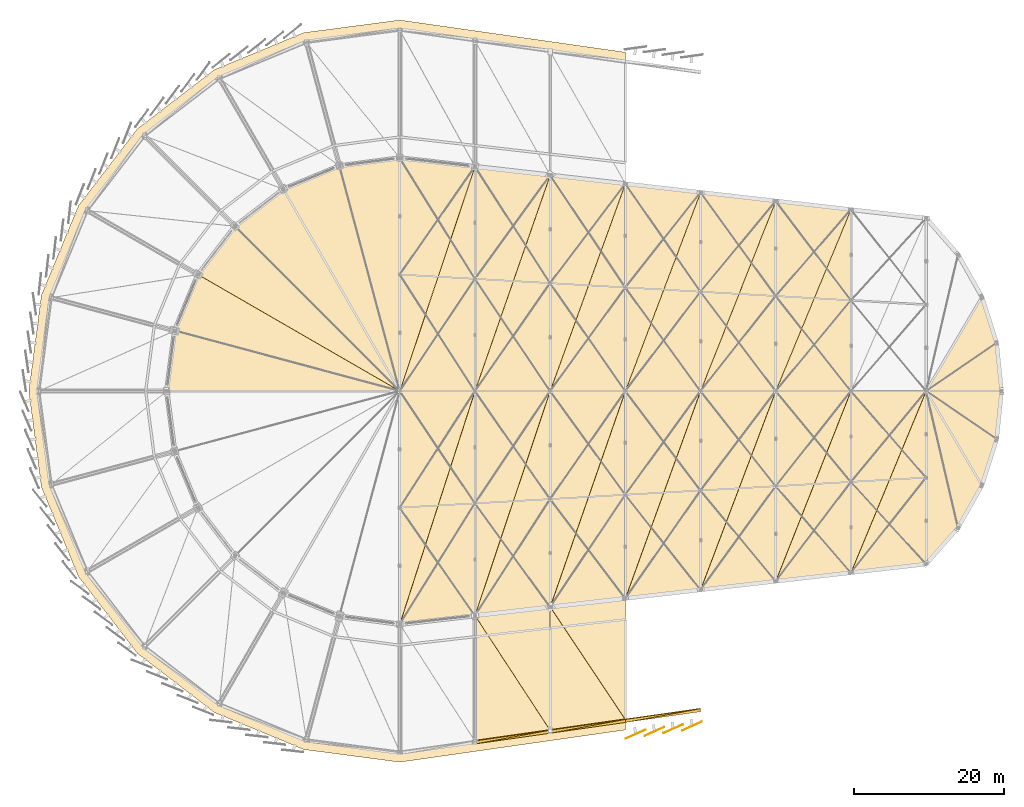
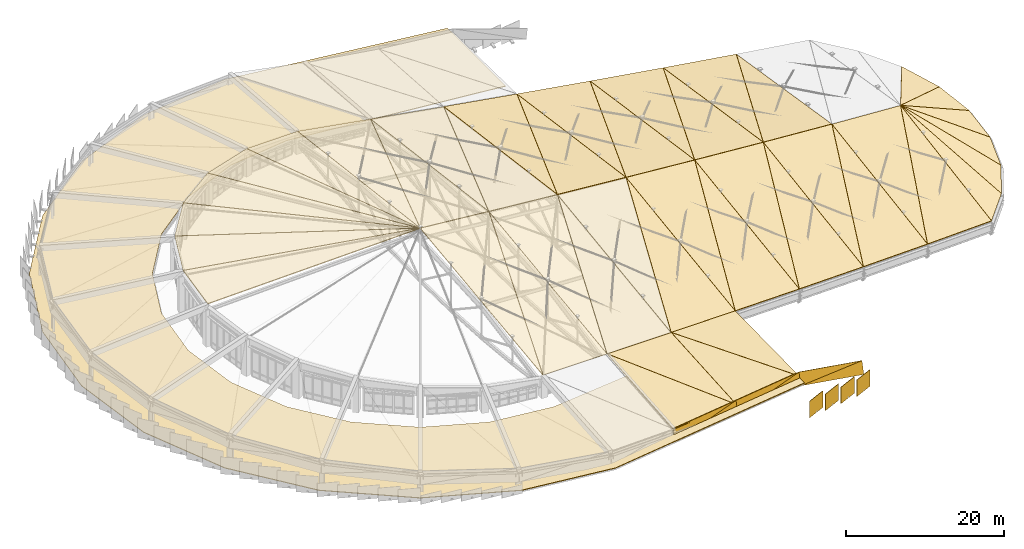
# One storey, part 67 of 68: 53 coverings.
"""IFC4 building model written with IfcOpenShell, lengths in metres."""

import ifcopenshell
import ifcopenshell.guid

model = None  # the IFC model being written
_history = None  # IfcOwnerHistory: only IFC2X3 demands one
_inside = {}  # id of a spatial element -> (the spatial element, [elements in it])
_under = {}  # id of a project, library or spatial element -> (it, [spatial elements below it])
_declared = {}  # id of a project -> (the project, [libraries it declares])
_typed = {}  # id of a type object -> (the type object, [elements of that type])
_made_of = {}  # id of a material, layer set ... -> (it, [elements and type objects made of it])


def new_model(schema):
    """Start an empty IFC model of exactly this schema.

    Asked for "IFC4X3", IfcOpenShell would pick the latest addendum, in which some entities
    have other attributes; the version numbers below select the first issue.
    IFC2X3 requires an IfcOwnerHistory on every rooted entity: one is made here for all.
    """
    global model, _history
    if schema == "IFC4X3":
        model = ifcopenshell.file(schema_version=(4, 3, 0, 0))
    else:
        model = ifcopenshell.file(schema=schema)
    _inside.clear()
    _under.clear()
    _declared.clear()
    _typed.clear()
    _made_of.clear()
    _history = None
    if model.schema == "IFC2X3":
        org = make("IfcOrganization", Name="unknown")
        user = make(
            "IfcPersonAndOrganization",
            ThePerson=make("IfcPerson", FamilyName="unknown"),
            TheOrganization=org,
        )
        app = make(
            "IfcApplication",
            ApplicationDeveloper=org,
            Version="unknown",
            ApplicationFullName="unknown",
            ApplicationIdentifier="unknown",
        )
        _history = make(
            "IfcOwnerHistory",
            OwningUser=user,
            OwningApplication=app,
            ChangeAction="ADDED",
            CreationDate=0,
        )
    return model


def make(cls, **values):
    """One entity of the class cls with the attributes given. An attribute that is None is left unset."""
    return model.create_entity(
        cls, **{name: value for name, value in values.items() if value is not None}
    )


def rooted(cls, **values):
    """An entity with a GlobalId (a new one), such as an element, a storey or a relation."""
    return make(cls, GlobalId=ifcopenshell.guid.new(), OwnerHistory=_history, **values)


def si_unit(unit_type, name, prefix=None):
    """IfcSIUnit, for example si_unit("LENGTHUNIT", "METRE", prefix="MILLI")."""
    return make("IfcSIUnit", UnitType=unit_type, Prefix=prefix, Name=name)


def assignment(units):
    """IfcUnitAssignment: the units of a project."""
    return None if units is None else make("IfcUnitAssignment", Units=units)


def point(xyz):
    """IfcCartesianPoint."""
    return None if xyz is None else make("IfcCartesianPoint", Coordinates=xyz)


def direction(xyz):
    """IfcDirection."""
    return None if xyz is None else make("IfcDirection", DirectionRatios=xyz)


def frame(location, z_axis=None, x_axis=None):
    """IfcAxis2Placement3D, a coordinate frame: its origin and axes. An axis left out is left unset."""
    return make(
        "IfcAxis2Placement3D",
        Location=point(location),
        Axis=direction(z_axis),
        RefDirection=direction(x_axis),
    )


def frame_2d(location, x_axis=None):
    """IfcAxis2Placement2D, a coordinate frame in the plane: its origin and x axis."""
    return make(
        "IfcAxis2Placement2D", Location=point(location), RefDirection=direction(x_axis)
    )


def origin():
    """The frame at (0, 0, 0) with its axes left unset."""
    return frame((0.0, 0.0, 0.0))


def origin_2d():
    """The frame at (0, 0) in the plane with its x axis left unset."""
    return frame_2d((0.0, 0.0))


def place(relative_to, where):
    """IfcLocalPlacement: puts the frame where relative to a parent placement (None: the world)."""
    return make(
        "IfcLocalPlacement", PlacementRelTo=relative_to, RelativePlacement=where
    )


def context(
    kind, dimensions, precision=None, world=None, true_north=None, identifier=None
):
    """IfcGeometricRepresentationContext, for example the 3D "Model" context."""
    return make(
        "IfcGeometricRepresentationContext",
        ContextIdentifier=identifier,
        ContextType=kind,
        CoordinateSpaceDimension=dimensions,
        Precision=precision,
        WorldCoordinateSystem=world,
        TrueNorth=true_north,
    )


def subcontext(parent, identifier, kind, view, scale=None):
    """IfcGeometricRepresentationSubContext, for example "Body" below "Model"."""
    return make(
        "IfcGeometricRepresentationSubContext",
        ContextIdentifier=identifier,
        ContextType=kind,
        ParentContext=parent,
        TargetScale=scale,
        TargetView=view,
    )


def project(units=None, contexts=None):
    """IfcProject with its units and contexts."""
    return rooted(
        "IfcProject",
        Name="project",
        RepresentationContexts=contexts,
        UnitsInContext=assignment(units),
    )


def spatial(cls, under=None, at=None, **own):
    """A site, building, storey or space (cls), placed at a placement, below another one or the project."""
    s = rooted(cls, ObjectPlacement=at, **own)
    if under is not None:
        _under.setdefault(under.id(), (under, []))[1].append(s)
    return s


def polyline(points):
    """IfcPolyline through the points."""
    return make("IfcPolyline", Points=[point(p) for p in points])


def profile(cls, at=None, kind="AREA", **sizes):
    """A parametric profile (cls). Its sizes go by their IFC names, for example OverallWidth=200.0."""
    return make(cls, ProfileType=kind, Position=at, **sizes)


def rectangle(**sizes):
    """IfcRectangleProfileDef."""
    return profile("IfcRectangleProfileDef", **sizes)


def outline(outer, holes=None, kind="AREA"):
    """IfcArbitraryClosedProfileDef: a profile drawn as a closed curve; with holes, ...WithVoids."""
    if holes is None:
        return make("IfcArbitraryClosedProfileDef", ProfileType=kind, OuterCurve=outer)
    return make(
        "IfcArbitraryProfileDefWithVoids",
        ProfileType=kind,
        OuterCurve=outer,
        InnerCurves=holes,
    )


def extrude(swept, where, along, depth):
    """IfcExtrudedAreaSolid: the profile swept, set in the frame where, extruded along a direction by depth."""
    return make(
        "IfcExtrudedAreaSolid",
        SweptArea=swept,
        Position=where,
        ExtrudedDirection=direction(along),
        Depth=depth,
    )


def shape(context_of_items, identifier, shape_type, items):
    """IfcShapeRepresentation: the items that make up one representation, for example the "Body"."""
    return make(
        "IfcShapeRepresentation",
        ContextOfItems=context_of_items,
        RepresentationIdentifier=identifier,
        RepresentationType=shape_type,
        Items=items,
    )


def material(Name=None, Category=None):
    """IfcMaterial."""
    return make("IfcMaterial", Name=Name, Category=Category)


def layer(
    of_material, thickness, ventilated=None, Name=None, Category=None, Priority=None
):
    """IfcMaterialLayer: one layer of a wall or slab, of a material (None: an air gap)."""
    return make(
        "IfcMaterialLayer",
        Material=of_material,
        LayerThickness=thickness,
        IsVentilated=ventilated,
        Name=Name,
        Category=Category,
        Priority=Priority,
    )


def layer_set(layers, Name=None):
    """IfcMaterialLayerSet."""
    return make("IfcMaterialLayerSet", MaterialLayers=layers, LayerSetName=Name)


def made_of(thing, what):
    """Note that an element or type object is made of a material, layer set ...; save() writes the relation."""
    if what is not None:
        _made_of.setdefault(what.id(), (what, []))[1].append(thing)
    return thing


def type_object(cls, material=None, **own):
    """A type object (cls), such as IfcWallType, which elements share."""
    return made_of(rooted(cls, **own), material)


def element(
    cls,
    number,
    at=None,
    inside=None,
    cuts=None,
    type_object=None,
    material=None,
    context=None,
    identifier="Body",
    shape_type=None,
    held_by="IfcProductDefinitionShape",
    body=None,
    shapes=None,
    **own,
):
    """One element of the class cls, such as IfcWall. Its Tag is "e" and its number.

    at: its placement. inside: the storey or other place that contains it. cuts: it is an
    opening in that element (IfcRelVoidsElement). A single representation is given by context,
    identifier, shape_type and body (its items); several are given by shapes. held_by: the class
    of the entity that holds the representations. save() writes the other relations.
    """
    e = rooted(cls, Tag="e%d" % number, ObjectPlacement=at, **own)
    if body is not None:
        shapes = [shape(context, identifier, shape_type, body)]
    if shapes is not None:
        e.Representation = make(held_by, Representations=shapes)
    if inside is not None:
        _inside.setdefault(inside.id(), (inside, []))[1].append(e)
    if cuts is not None:
        rooted(
            "IfcRelVoidsElement", RelatingBuildingElement=cuts, RelatedOpeningElement=e
        )
    if type_object is not None:
        _typed.setdefault(type_object.id(), (type_object, []))[1].append(e)
    return made_of(e, material)


def aggregate(whole, parts):
    """IfcRelAggregates: a whole, such as a stair, and the parts it consists of."""
    return rooted("IfcRelAggregates", RelatingObject=whole, RelatedObjects=parts)


def save(model, path):
    """Write the relations noted so far, then the file.

    IfcRelAggregates (storeys below a building ...), IfcRelContainedInSpatialStructure (elements
    in a storey), IfcRelDefinesByType, IfcRelAssociatesMaterial and IfcRelDeclares: one each for
    every whole, place, type object, material and project.
    """
    for whole, parts in _under.values():
        aggregate(whole, parts)
    for where, things in _inside.values():
        rooted(
            "IfcRelContainedInSpatialStructure",
            RelatedElements=things,
            RelatingStructure=where,
        )
    for kind, things in _typed.values():
        rooted("IfcRelDefinesByType", RelatedObjects=things, RelatingType=kind)
    for what, things in _made_of.values():
        rooted("IfcRelAssociatesMaterial", RelatedObjects=things, RelatingMaterial=what)
    for by, libraries in _declared.values():
        rooted("IfcRelDeclares", RelatingContext=by, RelatedDefinitions=libraries)
    model.write(path)


model = new_model("IFC4")

# Units and contexts
model_context = context("Model", 3, precision=1e-05, world=origin(), true_north=direction((0.0, 1.0)))
body_context = subcontext(model_context, "Body", "Model", "MODEL_VIEW")
ifc_project = project(units=[si_unit("LENGTHUNIT", "METRE"), si_unit("AREAUNIT", "SQUARE_METRE"), si_unit("VOLUMEUNIT", "CUBIC_METRE"), si_unit("PLANEANGLEUNIT", "RADIAN"), si_unit("MASSUNIT", "GRAM", prefix="KILO")], contexts=[model_context])

# Site, building, storey
site_placement = place(None, origin())
site = spatial("IfcSite", under=ifc_project, at=site_placement, CompositionType="ELEMENT")
building_placement = place(site_placement, origin())
building = spatial("IfcBuilding", under=site, at=building_placement, Name="Sohan Crest Arena", CompositionType="ELEMENT")
storey_placement = place(building_placement, frame((0.0, 0.0, 27.0)))
storey = spatial("IfcBuildingStorey", under=building, at=storey_placement, Name="RF", CompositionType="ELEMENT", Elevation=27.0)

# Coverings
ifc_material_1 = material(Name="Elastomeric EPDM waterproofing membrane")
ifc_layer_1 = layer(ifc_material_1, 0.094970703125, Name="Elastomeric EPDM waterproofing membrane")
ifc_layer_set_1 = layer_set([ifc_layer_1], Name="Elastomeric EPDM waterproofing membrane")
covering_type_1 = type_object("IfcCoveringType", Name="COV-RF1", PredefinedType="ROOFING", material=ifc_layer_set_1)
covering_1_placement = place(storey_placement, origin())
element("IfcCovering", 1, at=covering_1_placement, inside=storey, type_object=covering_type_1, Name="West crescent EPDM roof membrane", PredefinedType="ROOFING", context=body_context, shape_type="SweptSolid", body=[
    extrude(outline(polyline([(118.0, 31.507080078125), (108.0, 30.0791015625), (98.0, 28.64990234375), (85.22705078125, 30.33203125), (73.324951171875, 35.261962890625), (63.10400390625, 43.10400390625), (55.261962890625, 53.324951171875), (50.33203125, 65.22705078125), (48.64990234375, 78.0), (50.33203125, 90.77294921875), (55.261962890625, 102.675048828125), (63.10400390625, 112.89599609375), (73.324951171875, 120.738037109375), (85.22705078125, 125.66796875), (98.0, 127.35009765625), (108.0, 125.9208984375), (118.0, 124.492919921875), (128.0, 123.06396484375), (128.0, 108.37109375), (118.0, 109.513916015625), (108.0, 110.656982421875), (98.0, 111.800048828125), (89.251953125, 110.64794921875), (81.10009765625, 107.27197265625), (74.10009765625, 101.89990234375), (68.72802734375, 94.89990234375), (65.35205078125, 86.748046875), (64.199951171875, 78.0), (65.35205078125, 69.251953125), (68.72802734375, 61.10009765625), (74.10009765625, 54.10009765625), (81.10009765625, 48.72802734375), (89.251953125, 45.35205078125), (98.0, 44.199951171875), (108.0, 45.343017578125), (118.0, 46.486083984375), (128.0, 47.62890625), (128.0, 32.93603515625), (118.0, 31.507080078125)])), origin(), (0.0, 0.0, 1.0), 0.094970703125),
])
ifc_material_2 = material(Name="Standing-seam insulated acoustic roof liner", Category="aluminium")
ifc_layer_2 = layer(ifc_material_2, 0.114990234375, Name="Standing-seam insulated acoustic roof liner")
ifc_layer_set_2 = layer_set([ifc_layer_2], Name="Standing-seam insulated acoustic roof liner")
covering_type_2 = type_object("IfcCoveringType", Name="COV-RF2", PredefinedType="ROOFING", material=ifc_layer_set_2)
covering_2_placement = place(storey_placement, frame((97.9951171875, 108.97900390625, 3.251953125), z_axis=(0.078569357148, 0.123111299512, 0.989277748688), x_axis=(-0.987005823883, -0.129917496774, 0.094556584402)))
element("IfcCovering", 2, at=covering_2_placement, inside=storey, type_object=covering_type_2, Name="Standing-seam acoustic roof covering RF-CV-001", PredefinedType="ROOFING", context=body_context, shape_type="SweptSolid", body=[
    extrude(outline(polyline([(0.0, 0.0), (8.112495270420572, 1.942890293094024e-16), (4.383438076717263, 30.866937675788467), (0.0, 0.0)])), origin(), (0.0, 0.0, -1.0), 0.114990234375),
])
covering_3_placement = place(storey_placement, frame((89.97705078125, 107.922119140625, 4.01904296875), z_axis=(0.049193937432, 0.115529716806, 0.992085097688), x_axis=(-0.920123355045, -0.381144505095, 0.090010431264)))
element("IfcCovering", 3, at=covering_3_placement, inside=storey, type_object=covering_type_2, Name="Standing-seam acoustic roof covering RF-CV-002", PredefinedType="ROOFING", context=body_context, shape_type="SweptSolid", body=[
    extrude(outline(polyline([(0.0, 0.0), (8.109954129746676, -3.3306690738754696e-16), (4.30036116213068, 30.79247786818549), (0.0, 0.0)])), origin(), (0.0, 0.0, -1.0), 0.114990234375),
])
covering_4_placement = place(storey_placement, frame((82.506103515625, 104.825927734375, 4.7490234375), z_axis=(0.02228020214, 0.100222015913, 0.994715607658), x_axis=(-0.790838144781, -0.606922997976, 0.078863827493)))
element("IfcCovering", 4, at=covering_4_placement, inside=storey, type_object=covering_type_2, Name="Standing-seam acoustic roof covering RF-CV-003", PredefinedType="ROOFING", context=body_context, shape_type="SweptSolid", body=[
    extrude(outline(polyline([(0.0, 0.0), (8.101509094062253, -1.734723475976807e-16), (4.213367033155987, 30.73983132818911), (0.0, 0.0)])), origin(), (0.0, 0.0, -1.0), 0.114990234375),
])
covering_5_placement = place(storey_placement, frame((76.091064453125, 99.90087890625, 5.387939453125), z_axis=(-0.000436193293, 0.077682893995, 0.996978022685), x_axis=(-0.607669380732, -0.791810703006, 0.061430727863)))
element("IfcCovering", 5, at=covering_5_placement, inside=storey, type_object=covering_type_2, Name="Standing-seam acoustic roof covering RF-CV-004", PredefinedType="ROOFING", context=body_context, shape_type="SweptSolid", body=[
    extrude(outline(polyline([(0.0, 0.0), (8.091558244350722, -6.661338147750939e-16), (4.13357035678807, 30.70779176164884), (0.0, 0.0)])), origin(), (0.0, 0.0, -1.0), 0.114990234375),
])
covering_6_placement = place(storey_placement, frame((71.1689453125, 93.485107421875, 5.885009765625), z_axis=(-0.016969693646, 0.049177375769, 0.998645890799), x_axis=(-0.38240734973, -0.923171996249, 0.038962600202)))
element("IfcCovering", 6, at=covering_6_placement, inside=storey, type_object=covering_type_2, Name="Standing-seam acoustic roof covering RF-CV-005", PredefinedType="ROOFING", context=body_context, shape_type="SweptSolid", body=[
    extrude(outline(polyline([(0.0, 0.0), (8.083172186166111, 3.937822290467352e-16), (4.082133112188317, 30.69153518886366), (0.0, 0.0)])), origin(), (0.0, 0.0, -1.0), 0.114990234375),
])
covering_7_placement = place(storey_placement, frame((68.074951171875, 86.011962890625, 6.199951171875), z_axis=(-0.025650373826, 0.016877268894, 0.999528496901), x_axis=(-0.130490512806, -0.991359126362, 0.01339061783)))
element("IfcCovering", 7, at=covering_7_placement, inside=storey, type_object=covering_type_2, Name="Standing-seam acoustic roof covering RF-CV-006", PredefinedType="ROOFING", context=body_context, shape_type="SweptSolid", body=[
    extrude(outline(polyline([(0.0, 0.0), (8.07687130243786, -9.194034422677078e-17), (4.0503887646823635, 30.68512516551225), (0.0, 0.0)])), origin(), (0.0, 0.0, -1.0), 0.114990234375),
])
covering_8_placement = place(storey_placement, frame((98.012939453125, 47.02099609375, 3.251953125), z_axis=(0.106264528646, -0.12742057051, 0.986139872514), x_axis=(0.989313905925, 0.113118381435, -0.09199036539)))
element("IfcCovering", 8, at=covering_8_placement, inside=storey, type_object=covering_type_2, Name="Standing-seam acoustic roof covering RF-CV-013", PredefinedType="ROOFING", context=body_context, shape_type="SweptSolid", body=[
    extrude(outline(polyline([(0.0, 0.0), (10.087779428731487, -2.7755575615628914e-17), (13.104181810361899, 29.892780539795584), (0.0, 0.0)])), origin(), (0.0, 0.0, -1.0), 0.114990234375),
])
covering_9_placement = place(storey_placement, frame((98.007080078125, 47.041015625, 3.251953125), z_axis=(0.091881929141, -0.122970672887, 0.988147724132), x_axis=(0.305769493607, 0.947886926191, 0.089528721292)))
element("IfcCovering", 9, at=covering_9_placement, inside=storey, type_object=covering_type_2, Name="Standing-seam acoustic roof covering RF-CV-014", PredefinedType="ROOFING", context=body_context, shape_type="SweptSolid", body=[
    extrude(outline(polyline([(0.0, 0.0), (32.63890177869655, 5.551115123125783e-17), (29.670408934452812, 9.573359103040415), (0.0, 0.0)])), origin(), (0.0, 0.0, -1.0), 0.114990234375),
])
covering_10_placement = place(storey_placement, frame((108.012939453125, 48.1640625, 2.323974609375), z_axis=(0.103627606749, -0.132437873979, 0.985759366507), x_axis=(0.989611133323, 0.113031322019, -0.088846637783)))
element("IfcCovering", 10, at=covering_10_placement, inside=storey, type_object=covering_type_2, Name="Standing-seam acoustic roof covering RF-CV-015", PredefinedType="ROOFING", context=body_context, shape_type="SweptSolid", body=[
    extrude(outline(polyline([(0.0, 0.0), (10.084749587684922, -5.551115123125783e-17), (12.981817964005886, 28.768957025120592), (0.0, 0.0)])), origin(), (0.0, 0.0, -1.0), 0.114990234375),
])
covering_11_placement = place(storey_placement, frame((108.007080078125, 48.18310546875, 2.323974609375), z_axis=(0.088688274323, -0.127641178677, 0.987847214656), x_axis=(0.316199134088, 0.94406458039, 0.093595810031)))
element("IfcCovering", 11, at=covering_11_placement, inside=storey, type_object=covering_type_2, Name="Standing-seam acoustic roof covering RF-CV-016", PredefinedType="ROOFING", context=body_context, shape_type="SweptSolid", body=[
    extrude(outline(polyline([(0.0, 0.0), (31.562327004893373, -2.7755575615628914e-16), (28.49052730263887, 9.537655149242703), (0.0, 0.0)])), origin(), (0.0, 0.0, -1.0), 0.114990234375),
])
covering_12_placement = place(storey_placement, frame((118.012939453125, 49.305908203125, 1.427978515625), z_axis=(0.100657799964, -0.137865293277, 0.985322875111), x_axis=(0.989906389487, 0.113186126143, -0.085289160521)))
element("IfcCovering", 12, at=covering_12_placement, inside=storey, type_object=covering_type_2, Name="Standing-seam acoustic roof covering RF-CV-017", PredefinedType="ROOFING", context=body_context, shape_type="SweptSolid", body=[
    extrude(outline(polyline([(0.0, 0.0), (10.081741642182598, 0.0), (12.867694969856617, 27.642886060133996), (0.0, 0.0)])), origin(), (0.0, 0.0, -1.0), 0.114990234375),
])
covering_13_placement = place(storey_placement, frame((118.007080078125, 49.323974609375, 1.427978515625), z_axis=(0.085105940709, -0.132671659268, 0.987499473257), x_axis=(0.327298212364, 0.9398193862, 0.098058153697)))
element("IfcCovering", 13, at=covering_13_placement, inside=storey, type_object=covering_type_2, Name="Standing-seam acoustic roof covering RF-CV-018", PredefinedType="ROOFING", context=body_context, shape_type="SweptSolid", body=[
    extrude(outline(polyline([(0.0, 0.0), (30.49201031886783, -2.1094237467877974e-15), (27.309921097788408, 9.498110502772963), (0.0, 0.0)])), origin(), (0.0, 0.0, -1.0), 0.114990234375),
])
covering_14_placement = place(storey_placement, frame((128.012939453125, 50.447998046875, 0.568115234375), z_axis=(0.097056208526, -0.143755960943, 0.984842279799), x_axis=(0.990269050717, 0.113106467973, -0.08108103412)))
element("IfcCovering", 14, at=covering_14_placement, inside=storey, type_object=covering_type_2, Name="Standing-seam acoustic roof covering RF-CV-019", PredefinedType="ROOFING", context=body_context, shape_type="SweptSolid", body=[
    extrude(outline(polyline([(0.0, 0.0), (10.078049456882495, -1.1102230246251565e-16), (12.749200719657635, 26.52156144486965), (0.0, 0.0)])), origin(), (0.0, 0.0, -1.0), 0.114990234375),
])
covering_15_placement = place(storey_placement, frame((128.007080078125, 50.466064453125, 0.568115234375), z_axis=(0.080798674703, -0.138111203545, 0.987115428722), x_axis=(0.339148834059, 0.935069458942, 0.103068789215)))
element("IfcCovering", 15, at=covering_15_placement, inside=storey, type_object=covering_type_2, Name="Standing-seam acoustic roof covering RF-CV-020", PredefinedType="ROOFING", context=body_context, shape_type="SweptSolid", body=[
    extrude(outline(polyline([(0.0, 0.0), (29.426551019810862, -1.1102230246251565e-16), (26.126048610153536, 9.453782876481975), (0.0, 0.0)])), origin(), (0.0, 0.0, -1.0), 0.114990234375),
])
covering_16_placement = place(storey_placement, frame((138.012939453125, 51.589111328125, -0.2490234375), z_axis=(0.092822077321, -0.150166982302, 0.98429362458), x_axis=(0.990644935524, 0.113246337485, -0.076143803205)))
element("IfcCovering", 16, at=covering_16_placement, inside=storey, type_object=covering_type_2, Name="Standing-seam acoustic roof covering RF-CV-021", PredefinedType="ROOFING", context=body_context, shape_type="SweptSolid", body=[
    extrude(outline(polyline([(0.0, 0.0), (10.074225497825939, -1.5265566588595902e-16), (12.638958503257976, 25.398923824444562), (0.0, 0.0)])), origin(), (0.0, 0.0, -1.0), 0.114990234375),
])
covering_17_placement = place(storey_placement, frame((138.007080078125, 51.60595703125, -0.2490234375), z_axis=(0.075837820611, -0.14402321446, 0.986664045489), x_axis=(0.351792432894, 0.929748208819, 0.108675445046)))
element("IfcCovering", 17, at=covering_17_placement, inside=storey, type_object=covering_type_2, Name="Standing-seam acoustic roof covering RF-CV-022", PredefinedType="ROOFING", context=body_context, shape_type="SweptSolid", body=[
    extrude(outline(polyline([(0.0, 0.0), (28.368945820282377, 3.3306690738754696e-16), (24.941428041107706, 9.40428406942588), (0.0, 0.0)])), origin(), (0.0, 0.0, -1.0), 0.114990234375),
])
covering_18_placement = place(storey_placement, frame((148.012939453125, 52.73193359375, -1.01611328125), z_axis=(0.087428944863, -0.157172874691, 0.98369348227), x_axis=(0.991100632732, 0.113225694869, -0.06999627004)))
element("IfcCovering", 18, at=covering_18_placement, inside=storey, type_object=covering_type_2, Name="Standing-seam acoustic roof covering RF-CV-023", PredefinedType="ROOFING", context=body_context, shape_type="SweptSolid", body=[
    extrude(outline(polyline([(0.0, 0.0), (10.06959347936169, 2.7755575615628914e-16), (12.528287893779067, 24.276404327097843), (0.0, 0.0)])), origin(), (0.0, 0.0, -1.0), 0.114990234375),
])
covering_19_placement = place(storey_placement, frame((148.007080078125, 52.748046875, -1.01611328125), z_axis=(0.069671339043, -0.150458731897, 0.986158240097), x_axis=(0.365322171698, 0.92373477937, 0.115125011395)))
element("IfcCovering", 19, at=covering_19_placement, inside=storey, type_object=covering_type_2, Name="Standing-seam acoustic roof covering RF-CV-024", PredefinedType="ROOFING", context=body_context, shape_type="SweptSolid", body=[
    extrude(outline(polyline([(0.0, 0.0), (27.318299413249633, -4.996003610813204e-16), (23.753563402075454, 9.348251306507704), (0.0, 0.0)])), origin(), (0.0, 0.0, -1.0), 0.114990234375),
])
covering_20_placement = place(storey_placement, frame((158.012939453125, 53.8740234375, -1.720947265625), z_axis=(0.079837964227, -0.164891456773, 0.983075127827), x_axis=(0.991647406109, 0.113360935681, -0.061520079796)))
element("IfcCovering", 20, at=covering_20_placement, inside=storey, type_object=covering_type_2, Name="Standing-seam acoustic roof covering RF-CV-025", PredefinedType="ROOFING", context=body_context, shape_type="SweptSolid", body=[
    extrude(outline(polyline([(0.0, 0.0), (10.064041318783786, -1.3877787807814457e-16), (12.429281434580858, 23.154258133199846), (0.0, 0.0)])), origin(), (0.0, 0.0, -1.0), 0.114990234375),
])
covering_21_placement = place(storey_placement, frame((158.007080078125, 53.888916015625, -1.720947265625), z_axis=(0.061122562698, -0.157482040375, 0.985628448904), x_axis=(0.379764439374, 0.916876848552, 0.122946391474)))
element("IfcCovering", 21, at=covering_21_placement, inside=storey, type_object=covering_type_2, Name="Standing-seam acoustic roof covering RF-CV-026", PredefinedType="ROOFING", context=body_context, shape_type="SweptSolid", body=[
    extrude(outline(polyline([(0.0, 0.0), (26.279396999909785, 7.216449660063518e-16), (22.56544640168414, 9.283836166636215), (0.0, 0.0)])), origin(), (0.0, 0.0, -1.0), 0.114990234375),
])
covering_22_placement = place(storey_placement, frame((168.0029296875, 55.01904296875, -2.340087890625), z_axis=(0.234364478694, -0.160814032028, 0.958755515358), x_axis=(0.65834199579, 0.751913639659, -0.034809410721)))
element("IfcCovering", 22, at=covering_22_placement, inside=storey, type_object=covering_type_2, Name="Standing-seam acoustic roof covering RF-CV-027", PredefinedType="ROOFING", context=body_context, shape_type="SweptSolid", body=[
    extrude(outline(polyline([(0.0, 0.0), (6.431506551995299, 2.0816681711721685e-16), (17.12529884765702, 15.761565971846352), (0.0, 0.0)])), origin(), (0.0, 0.0, -1.0), 0.114990234375),
])
covering_23_placement = place(storey_placement, frame((172.241943359375, 59.862060546875, -2.56396484375), z_axis=(0.296065447531, -0.14316557398, 0.944377503547), x_axis=(0.491480358456, 0.870608246218, -0.022098390654)))
element("IfcCovering", 23, at=covering_23_placement, inside=storey, type_object=covering_type_2, Name="Standing-seam acoustic roof covering RF-CV-028", PredefinedType="ROOFING", context=body_context, shape_type="SweptSolid", body=[
    extrude(outline(polyline([(0.0, 0.0), (6.429872924986192, 1.734723475976807e-16), (13.602710043671197, 13.332230407111991), (0.0, 0.0)])), origin(), (0.0, 0.0, -1.0), 0.114990234375),
])
covering_24_placement = place(storey_placement, frame((175.405029296875, 65.467041015625, -2.7060546875), z_axis=(0.35566475501, -0.102771067408, 0.928946010136), x_axis=(0.303295987661, 0.952836224162, -0.010708585016)))
element("IfcCovering", 24, at=covering_24_placement, inside=storey, type_object=covering_type_2, Name="Standing-seam acoustic roof covering RF-CV-029", PredefinedType="ROOFING", context=body_context, shape_type="SweptSolid", body=[
    extrude(outline(polyline([(0.0, 0.0), (6.429202004663342, -3.0184188481996443e-16), (9.641796486953124, 11.671920170378367), (0.0, 0.0)])), origin(), (0.0, 0.0, -1.0), 0.114990234375),
])
covering_25_placement = place(storey_placement, frame((177.35693359375, 71.60205078125, -2.77490234375), z_axis=(0.394555129583, -0.0386426654, 0.918059363076), x_axis=(0.102549021912, 0.994725512548, -0.002202904915)))
element("IfcCovering", 25, at=covering_25_placement, inside=storey, type_object=covering_type_2, Name="Standing-seam acoustic roof covering RF-CV-030", PredefinedType="ROOFING", context=body_context, shape_type="SweptSolid", body=[
    extrude(outline(polyline([(0.0, 0.0), (6.427947095042004, 5.551115123125783e-17), (5.3926609555254155, 10.838528109945365), (0.0, 0.0)])), origin(), (0.0, 0.0, -1.0), 0.114990234375),
])
covering_26_placement = place(storey_placement, frame((178.01611328125, 78.00390625, -2.7890625), z_axis=(0.394555129583, 0.0386426654, 0.918059363076), x_axis=(-0.102549021912, 0.994725512548, 0.002202904915)))
element("IfcCovering", 26, at=covering_26_placement, inside=storey, type_object=covering_type_2, Name="Standing-seam acoustic roof covering RF-CV-031", PredefinedType="ROOFING", context=body_context, shape_type="SweptSolid", body=[
    extrude(outline(polyline([(0.0, 0.0), (6.427947095042004, -5.551115123125783e-17), (1.0352861395165889, 10.838528109945365), (0.0, 0.0)])), origin(), (0.0, 0.0, -1.0), 0.114990234375),
])
covering_27_placement = place(storey_placement, frame((177.35498046875, 84.406982421875, -2.77490234375), z_axis=(0.35566475501, 0.102771067408, 0.928946010136), x_axis=(-0.303295987661, 0.952836224162, 0.010708585016)))
element("IfcCovering", 27, at=covering_27_placement, inside=storey, type_object=covering_type_2, Name="Standing-seam acoustic roof covering RF-CV-032", PredefinedType="ROOFING", context=body_context, shape_type="SweptSolid", body=[
    extrude(outline(polyline([(0.0, 0.0), (6.429202004663342, 3.0184188481996443e-16), (-3.212594482289782, 11.671920170378367), (0.0, 0.0)])), origin(), (0.0, 0.0, -1.0), 0.114990234375),
])
covering_28_placement = place(storey_placement, frame((157.987060546875, 102.1279296875, -1.720947265625), z_axis=(0.086719429078, 0.15025562393, 0.984836528617), x_axis=(-0.991100632732, 0.113225694869, 0.06999627004)))
element("IfcCovering", 28, at=covering_28_placement, inside=storey, type_object=covering_type_2, Name="Standing-seam acoustic roof covering RF-CV-037", PredefinedType="ROOFING", context=body_context, shape_type="SweptSolid", body=[
    extrude(outline(polyline([(0.0, 0.0), (10.06959347936169, 1.3877787807814457e-17), (7.481823381651189, 25.395616639050683), (0.0, 0.0)])), origin(), (0.0, 0.0, -1.0), 0.114990234375),
])
covering_29_placement = place(storey_placement, frame((157.992919921875, 102.111083984375, -1.720947265625), z_axis=(0.069595193739, 0.157394481492, 0.985080446565), x_axis=(-0.376961508152, -0.910109646363, 0.172047821752)))
element("IfcCovering", 29, at=covering_29_placement, inside=storey, type_object=covering_type_2, Name="Standing-seam acoustic roof covering RF-CV-038", PredefinedType="ROOFING", context=body_context, shape_type="SweptSolid", body=[
    extrude(outline(polyline([(0.0, 0.0), (26.47479982156334, 7.840950111415168e-16), (22.5914241771678, 9.220441362727735), (0.0, 0.0)])), origin(), (0.0, 0.0, -1.0), 0.114990234375),
])
covering_30_placement = place(storey_placement, frame((147.987060546875, 103.27001953125, -1.01611328125), z_axis=(0.092173918257, 0.143819072889, 0.98530200602), x_axis=(-0.990644935524, 0.113246337485, 0.076143803205)))
element("IfcCovering", 30, at=covering_30_placement, inside=storey, type_object=covering_type_2, Name="Standing-seam acoustic roof covering RF-CV-039", PredefinedType="ROOFING", context=body_context, shape_type="SweptSolid", body=[
    extrude(outline(polyline([(0.0, 0.0), (10.074225497825939, 5.551115123125783e-17), (7.3802932406686645, 26.51998561679392), (0.0, 0.0)])), origin(), (0.0, 0.0, -1.0), 0.114990234375),
])
covering_31_placement = place(storey_placement, frame((147.992919921875, 103.251953125, -1.01611328125), z_axis=(0.075765182537, 0.150391718421, 0.985719010746), x_axis=(-0.362556959343, -0.916742806195, 0.167735143967)))
element("IfcCovering", 31, at=covering_31_placement, inside=storey, type_object=covering_type_2, Name="Standing-seam acoustic roof covering RF-CV-040", PredefinedType="ROOFING", context=body_context, shape_type="SweptSolid", body=[
    extrude(outline(polyline([(0.0, 0.0), (27.52665536148857, 4.718447854656915e-16), (23.77967606305653, 9.281626103336508), (0.0, 0.0)])), origin(), (0.0, 0.0, -1.0), 0.114990234375),
])
covering_32_placement = place(storey_placement, frame((137.987060546875, 104.412109375, -0.2490234375), z_axis=(0.096462392593, 0.137916870806, 0.985735229949), x_axis=(-0.990269050717, 0.113106467973, 0.08108103412)))
element("IfcCovering", 32, at=covering_32_placement, inside=storey, type_object=covering_type_2, Name="Standing-seam acoustic roof covering RF-CV-041", PredefinedType="ROOFING", context=body_context, shape_type="SweptSolid", body=[
    extrude(outline(polyline([(0.0, 0.0), (10.078049456882495, 1.1102230246251565e-16), (7.277949175552677, 27.64267173434669), (0.0, 0.0)])), origin(), (0.0, 0.0, -1.0), 0.114990234375),
])
covering_33_placement = place(storey_placement, frame((137.992919921875, 104.39404296875, -0.2490234375), z_axis=(0.080730608541, 0.143967719726, 0.986283866096), x_axis=(-0.349139729131, -0.922737408298, 0.163270097903)))
element("IfcCovering", 33, at=covering_33_placement, inside=storey, type_object=covering_type_2, Name="Standing-seam acoustic roof covering RF-CV-042", PredefinedType="ROOFING", context=body_context, shape_type="SweptSolid", body=[
    extrude(outline(polyline([(0.0, 0.0), (28.584488203575848, -1.6237011735142914e-15), (24.966706075888496, 9.336968421731092), (0.0, 0.0)])), origin(), (0.0, 0.0, -1.0), 0.114990234375),
])
covering_34_placement = place(storey_placement, frame((127.987060546875, 105.552978515625, 0.568115234375), z_axis=(0.100111518506, 0.132490252056, 0.986115620489), x_axis=(-0.989906389487, 0.113186126143, 0.085289160521)))
element("IfcCovering", 34, at=covering_34_placement, inside=storey, type_object=covering_type_2, Name="Standing-seam acoustic roof covering RF-CV-043", PredefinedType="ROOFING", context=body_context, shape_type="SweptSolid", body=[
    extrude(outline(polyline([(0.0, 0.0), (10.081741642182598, -2.7755575615628914e-16), (7.166650945262882, 28.766163630277997), (0.0, 0.0)])), origin(), (0.0, 0.0, -1.0), 0.114990234375),
])
covering_35_placement = place(storey_placement, frame((127.992919921875, 105.533935546875, 0.568115234375), z_axis=(0.085042701782, 0.138062271716, 0.986765700662), x_axis=(-0.336634234335, -0.928136439668, 0.158871462615)))
element("IfcCovering", 35, at=covering_35_placement, inside=storey, type_object=covering_type_2, Name="Standing-seam acoustic roof covering RF-CV-044", PredefinedType="ROOFING", context=body_context, shape_type="SweptSolid", body=[
    extrude(outline(polyline([(0.0, 0.0), (29.64636228533623, 1.4988010832439613e-15), (26.15011267743797, 9.387014094645178), (0.0, 0.0)])), origin(), (0.0, 0.0, -1.0), 0.114990234375),
])
covering_36_placement = place(storey_placement, frame((117.987060546875, 106.696044921875, 1.427978515625), z_axis=(0.103122989744, 0.127462950669, 0.986467863234), x_axis=(-0.989611133323, 0.113031322019, 0.088846637783)))
element("IfcCovering", 36, at=covering_36_placement, inside=storey, type_object=covering_type_2, Name="Standing-seam acoustic roof covering RF-CV-045", PredefinedType="ROOFING", context=body_context, shape_type="SweptSolid", body=[
    extrude(outline(polyline([(0.0, 0.0), (10.084749587684922, 1.3877787807814457e-16), (7.058837646299022, 29.89181942691453), (0.0, 0.0)])), origin(), (0.0, 0.0, -1.0), 0.114990234375),
])
covering_37_placement = place(storey_placement, frame((117.992919921875, 106.676025390625, 1.427978515625), z_axis=(0.088629713969, 0.132630745536, 0.987194944851), x_axis=(-0.324932918684, -0.933027571364, 0.154525562386)))
element("IfcCovering", 37, at=covering_37_placement, inside=storey, type_object=covering_type_2, Name="Standing-seam acoustic roof covering RF-CV-046", PredefinedType="ROOFING", context=body_context, shape_type="SweptSolid", body=[
    extrude(outline(polyline([(0.0, 0.0), (30.713971699669084, 1.2212453270876722e-15), (27.332693217266833, 9.432379073229102), (0.0, 0.0)])), origin(), (0.0, 0.0, -1.0), 0.114990234375),
])
covering_38_placement = place(storey_placement, frame((107.987060546875, 107.837890625, 2.323974609375), z_axis=(0.105795391186, 0.122800006857, 0.986776313822), x_axis=(-0.989313905925, 0.113118381435, 0.09199036539)))
element("IfcCovering", 38, at=covering_38_placement, inside=storey, type_object=covering_type_2, Name="Standing-seam acoustic roof covering RF-CV-047", PredefinedType="ROOFING", context=body_context, shape_type="SweptSolid", body=[
    extrude(outline(polyline([(0.0, 0.0), (10.087779428731487, 1.3877787807814457e-17), (6.942296159692253, 31.017548353434034), (0.0, 0.0)])), origin(), (0.0, 0.0, -1.0), 0.114990234375),
])
covering_39_placement = place(storey_placement, frame((107.992919921875, 107.81689453125, 2.323974609375), z_axis=(0.091827748478, 0.127604717976, 0.987565036116), x_axis=(-0.313984349097, -0.937451975112, 0.150325057395)))
element("IfcCovering", 39, at=covering_39_placement, inside=storey, type_object=covering_type_2, Name="Standing-seam acoustic roof covering RF-CV-048", PredefinedType="ROOFING", context=body_context, shape_type="SweptSolid", body=[
    extrude(outline(polyline([(0.0, 0.0), (31.784961567170352, -2.498001805406602e-16), (28.511905472063898, 9.4735557253008), (0.0, 0.0)])), origin(), (0.0, 0.0, -1.0), 0.114990234375),
])
covering_40_placement = place(storey_placement, frame((108.007080078125, 48.1220703125, 2.343994140625), z_axis=(0.069396332176, -0.086386245012, 0.993841821294), x_axis=(0.0, -0.996243596753, -0.086595010993)))
element("IfcCovering", 40, at=covering_40_placement, inside=storey, type_object=covering_type_2, Name="Standing-seam acoustic roof covering RF-CV-075", PredefinedType="ROOFING", context=body_context, shape_type="SweptSolid", body=[
    extrude(outline(polyline([(0.0, 0.0), (16.744049746588125, 0.0), (15.373972748676577, 10.004098665081635), (0.0, 0.0)])), origin(), (0.0, 0.0, -1.0), 0.114990234375),
])
covering_41_placement = place(storey_placement, frame((108.012939453125, 48.134033203125, 2.343994140625), z_axis=(0.09694138559, -0.068248683291, 0.992947372719), x_axis=(0.544095602168, -0.831742993391, -0.11028856988)))
element("IfcCovering", 41, at=covering_41_placement, inside=storey, type_object=covering_type_2, Name="Standing-seam acoustic roof covering RF-CV-076", PredefinedType="ROOFING", context=body_context, shape_type="SweptSolid", body=[
    extrude(outline(polyline([(0.0, 0.0), (18.342328864616352, -1.0547118733938987e-15), (4.580783945489239, 8.98435265843117), (0.0, 0.0)])), origin(), (0.0, 0.0, -1.0), 0.114990234375),
])
covering_42_placement = place(storey_placement, frame((118.007080078125, 49.264892578125, 1.447998046875), z_axis=(0.009797636378, -0.068568358132, 0.997598309233), x_axis=(0.0, -0.997646194246, -0.068571649433)))
element("IfcCovering", 42, at=covering_42_placement, inside=storey, type_object=covering_type_2, Name="Standing-seam acoustic roof covering RF-CV-077", PredefinedType="ROOFING", context=body_context, shape_type="SweptSolid", body=[
    extrude(outline(polyline([(0.0, 0.0), (16.434680138421086, 1.734723475976807e-18), (15.012011334565553, 9.980459510757754), (0.0, 0.0)])), origin(), (0.0, 0.0, -1.0), 0.114990234375),
])
covering_43_placement = place(storey_placement, frame((118.012939453125, 49.277099609375, 1.447998046875), z_axis=(0.08772359189, -0.016497749499, 0.996008230733), x_axis=(0.553608990311, -0.830427028424, -0.062514288842)))
element("IfcCovering", 43, at=covering_43_placement, inside=storey, type_object=covering_type_2, Name="Standing-seam acoustic roof covering RF-CV-078", PredefinedType="ROOFING", context=body_context, shape_type="SweptSolid", body=[
    extrude(outline(polyline([(0.0, 0.0), (18.0271286113627, -1.2212453270876722e-15), (4.632178308063317, 8.954444379511663), (0.0, 0.0)])), origin(), (0.0, 0.0, -1.0), 0.114990234375),
])
ifc_material_3 = material(Name="Glazed ivory trencadis ceramic cladding", Category="masonry")
ifc_layer_3 = layer(ifc_material_3, 0.06494140625, Name="Glazed ivory trencadis ceramic cladding")
ifc_layer_set_3 = layer_set([ifc_layer_3], Name="Glazed ivory trencadis ceramic cladding")
covering_type_3 = type_object("IfcCoveringType", Name="COV-SC-IV", PredefinedType="CLADDING", material=ifc_layer_set_3)
covering_44_placement = place(storey_placement, frame((108.049072265625, 31.0830078125, -1.0), z_axis=(0.138346048658, -0.968824440596, 0.205522685181), x_axis=(0.989957709412, 0.141363834042, 0.0)))
element("IfcCovering", 44, at=covering_44_placement, inside=storey, type_object=covering_type_3, Name="Rising white parabolic roof-edge nose fascia NF-0715", PredefinedType="CLADDING", context=body_context, shape_type="SweptSolid", body=[
    extrude(outline(polyline([(0.0, 0.0), (10.10144161202185, 5.551115123125783e-17), (10.101694641883867, 1.9413455044221832), (0.0, 0.0)])), origin(), (0.0, 0.0, -1.0), 0.0849609375),
])
covering_45_placement = place(storey_placement, frame((108.049072265625, 31.0830078125, -1.0), z_axis=(0.138346048658, -0.968824440596, 0.205522685181), x_axis=(0.966684669666, 0.17722156711, 0.184697768214)))
element("IfcCovering", 45, at=covering_45_placement, inside=storey, type_object=covering_type_3, Name="Rising white parabolic roof-edge nose fascia NF-0716", PredefinedType="CLADDING", context=body_context, shape_type="SweptSolid", body=[
    extrude(outline(polyline([(0.0, 0.0), (10.286547380214872, 0.0), (0.3666320932128746, 1.9064111151036334), (0.0, 0.0)])), origin(), (0.0, 0.0, -1.0), 0.0849609375),
])
covering_46_placement = place(storey_placement, frame((118.050048828125, 32.510986328125, -1.0), z_axis=(0.138436743276, -0.968797027952, 0.205590823587), x_axis=(0.989944175879, 0.141458575718, 0.0)))
element("IfcCovering", 46, at=covering_46_placement, inside=storey, type_object=covering_type_3, Name="Rising white parabolic roof-edge nose fascia NF-0717", PredefinedType="CLADDING", context=body_context, shape_type="SweptSolid", body=[
    extrude(outline(polyline([(0.0, 0.0), (10.10157970890193, -1.1102230246251565e-16), (10.100904181156926, 1.9413738953244684), (0.0, 0.0)])), origin(), (0.0, 0.0, -1.0), 0.0849609375),
])
covering_47_placement = place(storey_placement, frame((118.050048828125, 32.510986328125, -1.0), z_axis=(0.138436743276, -0.968797027952, 0.205590823587), x_axis=(0.966662177546, 0.177329792478, 0.184711610904)))
element("IfcCovering", 47, at=covering_47_placement, inside=storey, type_object=covering_type_3, Name="Rising white parabolic roof-edge nose fascia NF-0718", PredefinedType="CLADDING", context=body_context, shape_type="SweptSolid", body=[
    extrude(outline(polyline([(0.0, 0.0), (10.285776483978289, 4.440892098500626e-16), (0.3657584010583309, 1.9066079434011307), (0.0, 0.0)])), origin(), (0.0, 0.0, -1.0), 0.0849609375),
])
covering_48_placement = place(storey_placement, frame((128.049072265625, 33.93994140625, -1.0), z_axis=(0.190641882711, -0.959972910617, 0.205201567827), x_axis=(0.958478169197, 0.136868623331, -0.250173098313)))
element("IfcCovering", 48, at=covering_48_placement, inside=storey, type_object=covering_type_3, Name="Rising white parabolic roof-edge nose fascia NF-0719", PredefinedType="CLADDING", context=body_context, shape_type="SweptSolid", body=[
    extrude(outline(polyline([(0.0, 0.0), (10.433205806213808, 0.0), (9.958085256767031, 1.8825542864293854), (0.0, 0.0)])), origin(), (0.0, 0.0, -1.0), 0.0849609375),
])
covering_49_placement = place(storey_placement, frame((128.049072265625, 33.93994140625, -1.0), z_axis=(0.190642666978, -0.959967359745, 0.205226805638), x_axis=(0.981190740015, 0.179880953982, -0.070054079842)))
element("IfcCovering", 49, at=covering_49_placement, inside=storey, type_object=covering_type_3, Name="Rising white parabolic roof-edge nose fascia NF-0720", PredefinedType="CLADDING", context=body_context, shape_type="SweptSolid", body=[
    extrude(outline(polyline([(0.0, 0.0), (10.134469528416107, 0.0), (-0.11713558007588007, 1.93780847542904), (0.0, 0.0)])), origin(), (0.0, 0.0, -1.0), 0.0849609375),
])
for number, where, z_axis, x_axis, name in (
    (50, (129.35498046875, 32.382080078125, -4.62451171875), (0.0, 0.0, 1.0), (0.912834177233, 0.408330460381, 0.0), "Upper nose rotated white scale panel SC-0721"),
    (51, (131.85498046875, 32.739013671875, -4.62451171875), (0.0, 0.0, 1.0), (0.912834177233, 0.408330460381, 0.0), "Upper nose rotated white scale panel SC-0722"),
    (52, (134.35498046875, 33.095947265625, -4.62451171875), (0.0, 0.0, 1.0), (0.912834177233, 0.408330460381, 0.0), "Upper nose rotated white scale panel SC-0723"),
    (53, (136.85498046875, 33.452880859375, -4.62451171875), (0.0, 0.0, 1.0), (0.912834177233, 0.408330460381, 0.0), "Upper nose rotated white scale panel SC-0724"),
):
    element("IfcCovering", number, at=place(storey_placement, frame(where, z_axis=z_axis, x_axis=x_axis)), inside=storey, type_object=covering_type_3, Name=name, PredefinedType="CLADDING", context=body_context, shape_type="SweptSolid", body=[
        extrude(rectangle(XDim=2.85009765625, YDim=0.06494140625, at=origin_2d()), origin(), (0.0, 0.0, 1.0), 2.544921875),
    ])

save(model, "model.ifc")
